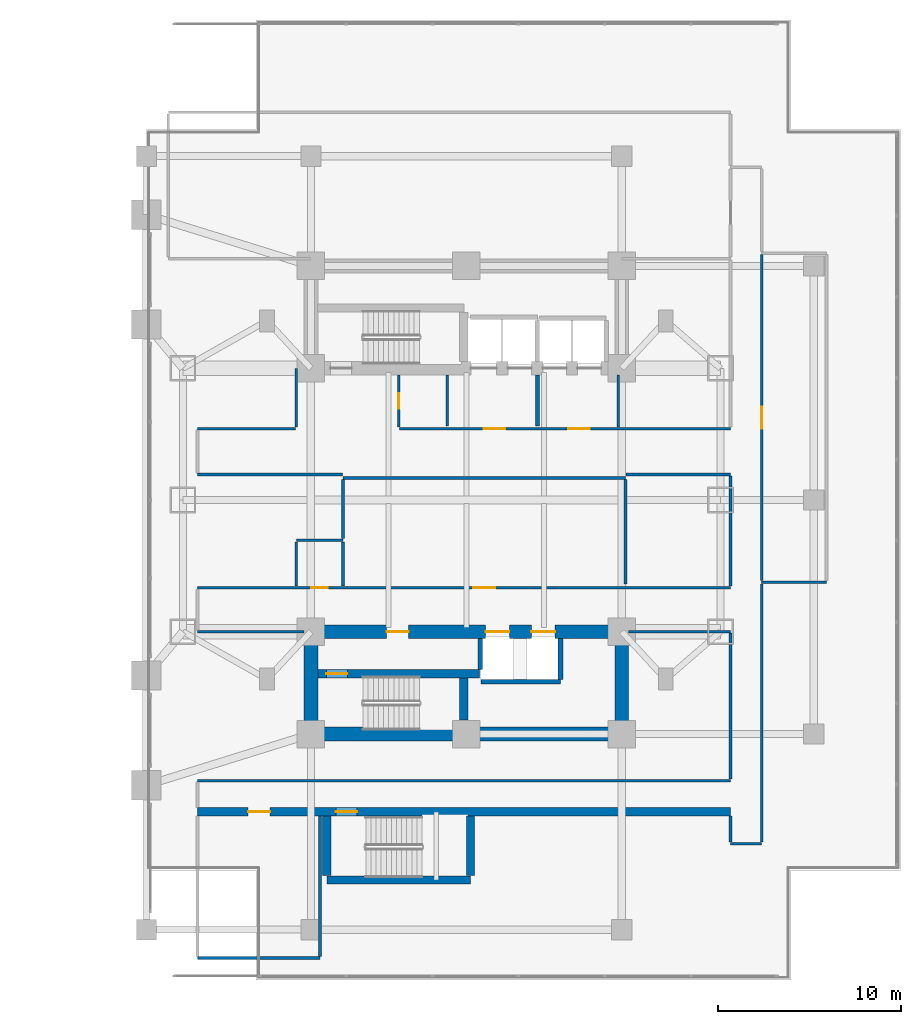
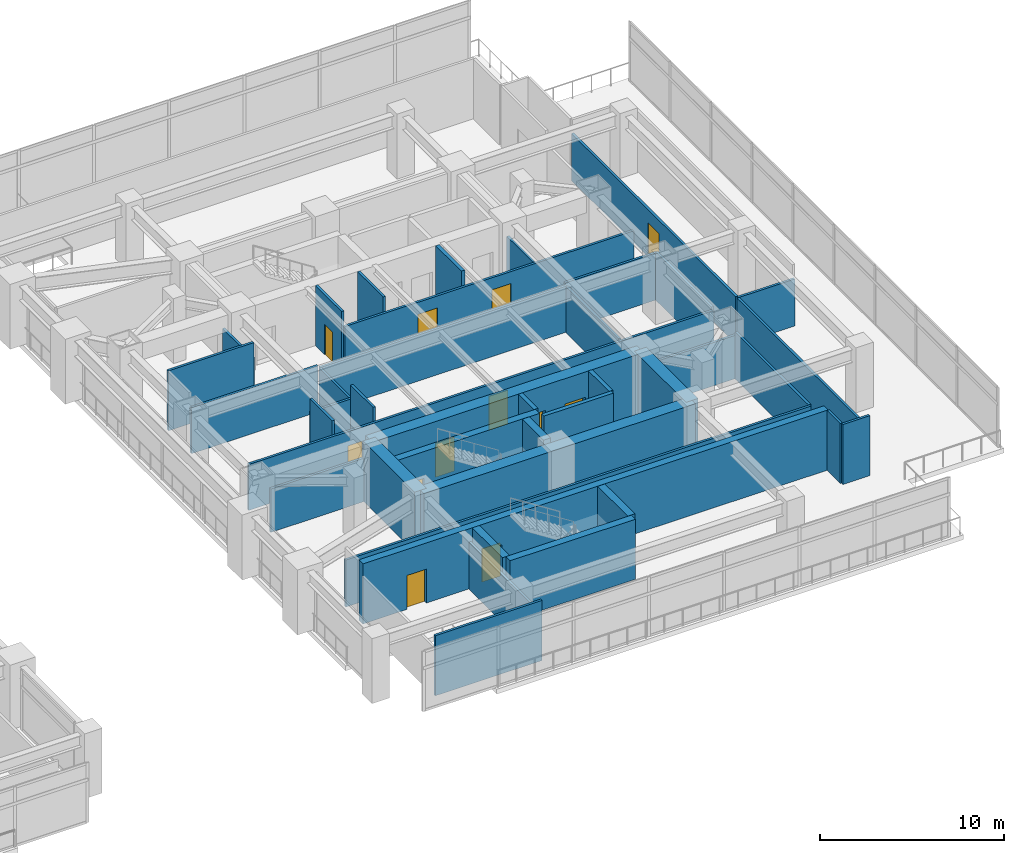
# One storey, part 18 of 31: 41 walls, 12 doors, 12 openings.
"""IFC4 building model written with IfcOpenShell, lengths in metres."""

from ifc_helpers import new_model, si_unit, direction, frame, frame_2d, origin, place, context, subcontext, project, spatial, rectangle, extrude, material, layer, layer_set, type_object, element, fill, save


model = new_model("IFC4")

# Units and contexts
model_context = context("Model", 3, precision=1e-05, world=origin(), true_north=direction((0.0, 1.0)))
body_context = subcontext(model_context, "Body", "Model", "MODEL_VIEW")
ifc_project = project(units=[si_unit("LENGTHUNIT", "METRE"), si_unit("AREAUNIT", "SQUARE_METRE"), si_unit("VOLUMEUNIT", "CUBIC_METRE"), si_unit("PLANEANGLEUNIT", "RADIAN"), si_unit("MASSUNIT", "GRAM", prefix="KILO")], contexts=[model_context])

# Site, building, storey
site_placement = place(None, origin())
site = spatial("IfcSite", under=ifc_project, at=site_placement, CompositionType="ELEMENT")
building_placement = place(site_placement, origin())
building = spatial("IfcBuilding", under=site, at=building_placement, Name="Mirazonda Arch Towers", CompositionType="ELEMENT")
storey_placement = place(building_placement, frame((0.0, 0.0, 5.199951171875)))
storey = spatial("IfcBuildingStorey", under=building, at=storey_placement, Name="L01", CompositionType="ELEMENT", Elevation=5.199951171875)

# Wall
ifc_material_1 = material(Name="Concrete C50/60", Category="concrete")
ifc_layer_1 = layer(ifc_material_1, 0.449951171875, Name="WALL-CORE-450")
ifc_layer_set_1 = layer_set([ifc_layer_1], Name="Concrete C50/60")
wall_type_1 = type_object("IfcWallType", Name="WALL-CORE-450", PredefinedType="SHEAR", material=ifc_layer_set_1)
wall_1_placement = place(storey_placement, frame((68.8701171875, 7.219970703125, 0.0), z_axis=(0.0, 0.0, 1.0), x_axis=(1.0, 0.0, 0.0)))
element("IfcWall", 1, at=wall_1_placement, inside=storey, type_object=wall_type_1, Name="L01 Stair Core Shear Wall 004", PredefinedType="SHEAR", context=body_context, shape_type="SweptSolid", body=[
    extrude(rectangle(XDim=7.85986328125, YDim=0.449951171875, at=frame_2d((3.929931640625, 0.0))), origin(), (0.0, 0.0, 1.0), 3.97998046875),
])

# Wall, openings, doors
wall_2_placement = place(storey_placement, frame((61.800048828125, 10.949951171875, 0.0), z_axis=(0.0, 0.0, 1.0), x_axis=(1.0, 0.0, 0.0)))
wall_2 = element("IfcWall", 2, at=wall_2_placement, inside=storey, type_object=wall_type_1, Name="L01 Stair Core Shear Wall 008", PredefinedType="SHEAR", context=body_context, shape_type="SweptSolid", body=[
    extrude(rectangle(XDim=29.14990234375, YDim=0.449951171875, at=frame_2d((14.574951171875, 0.0))), origin(), (0.0, 0.0, 1.0), 3.97998046875),
])
opening_1_placement = place(wall_2_placement, frame((7.570068359375, 0.0, 0.0)))
opening_1 = element("IfcOpeningElement", 3, at=opening_1_placement, cuts=wall_2, Name="Opening DR-135", PredefinedType="OPENING", context=body_context, shape_type="SweptSolid", body=[
    extrude(rectangle(XDim=1.14990234375, YDim=2.199951171875, at=frame_2d((0.574951171875, 1.10009765625))), frame((0.0, 0.23486328125, 0.0), z_axis=(0.0, -1.0, 0.0), x_axis=(1.0, 0.0, 0.0)), (0.0, 0.0, 1.0), 0.469970703125),
])
opening_2_placement = place(wall_2_placement, frame((2.77001953125, 0.0, 0.0)))
opening_2 = element("IfcOpeningElement", 4, at=opening_2_placement, cuts=wall_2, Name="Opening DR-117", PredefinedType="OPENING", context=body_context, shape_type="SweptSolid", body=[
    extrude(rectangle(XDim=1.199951171875, YDim=2.25, at=frame_2d((0.60009765625, 1.125))), frame((0.0, 0.23486328125, 0.0), z_axis=(0.0, -1.0, 0.0), x_axis=(1.0, 0.0, 0.0)), (0.0, 0.0, 1.0), 0.469970703125),
])
ifc_material_2 = material(Name="Architectural Brushed Steel S355", Category="steel")
door_type_1 = type_object("IfcDoorType", Name="DOOR-FFL-FD90-1200", OperationType="NOTDEFINED", PredefinedType="DOOR", material=ifc_material_2)
door_1_placement = place(opening_2_placement, origin())
door_1 = element("IfcDoor", 5, at=door_1_placement, inside=storey, type_object=door_type_1, Name="L01 L01 South Dining Terrace Room Door", OperationType="SINGLE_SWING_RIGHT", OverallHeight=2.25, OverallWidth=1.199951171875, PredefinedType="DOOR", context=body_context, shape_type="SweptSolid", body=[
    extrude(rectangle(XDim=1.199951171875, YDim=2.25, at=frame_2d((0.60009765625, 1.125))), frame((0.0, 0.02490234375, 0.0), z_axis=(0.0, -1.0, 0.0), x_axis=(1.0, 0.0, 0.0)), (0.0, 0.0, 1.0), 0.050048828125),
])
fill(opening_2, door_1)
door_type_2 = type_object("IfcDoorType", Name="DOOR-STAIR-FD90-1150", OperationType="NOTDEFINED", PredefinedType="DOOR", material=ifc_material_2)
door_2_placement = place(opening_1_placement, origin())
door_2 = element("IfcDoor", 6, at=door_2_placement, inside=storey, type_object=door_type_2, Name="L01 Protected Podium Stair East Door", OperationType="SINGLE_SWING_LEFT", OverallHeight=2.199951171875, OverallWidth=1.14990234375, PredefinedType="DOOR", context=body_context, shape_type="SweptSolid", body=[
    extrude(rectangle(XDim=1.14990234375, YDim=2.199951171875, at=frame_2d((0.574951171875, 1.10009765625))), frame((0.0, 0.02490234375, 0.0), z_axis=(0.0, -1.0, 0.0), x_axis=(1.0, 0.0, 0.0)), (0.0, 0.0, 1.0), 0.050048828125),
])
fill(opening_1, door_2)

# Wall, opening, door
wall_3_placement = place(storey_placement, frame((68.3701171875, 18.5, 0.0), z_axis=(0.0, 0.0, 1.0), x_axis=(1.0, 0.0, 0.0)))
wall_3 = element("IfcWall", 7, at=wall_3_placement, inside=storey, type_object=wall_type_1, Name="L01 Stair Core Shear Wall 019", PredefinedType="SHEAR", context=body_context, shape_type="SweptSolid", body=[
    extrude(rectangle(XDim=8.849853515625, YDim=0.449951171875, at=frame_2d((4.4248046875, 0.0))), origin(), (0.0, 0.0, 1.0), 3.97998046875),
])
opening_3_placement = place(wall_3_placement, frame((0.469970703125, 0.0, 0.0)))
opening_3 = element("IfcOpeningElement", 8, at=opening_3_placement, cuts=wall_3, Name="Opening DR-135", PredefinedType="OPENING", context=body_context, shape_type="SweptSolid", body=[
    extrude(rectangle(XDim=1.14990234375, YDim=2.199951171875, at=frame_2d((0.574951171875, 1.10009765625))), frame((0.0, 0.23486328125, 0.0), z_axis=(0.0, -1.0, 0.0), x_axis=(1.0, 0.0, 0.0)), (0.0, 0.0, 1.0), 0.469970703125),
])
door_3_placement = place(opening_3_placement, origin())
door_3 = element("IfcDoor", 9, at=door_3_placement, inside=storey, type_object=door_type_2, Name="L01 East Protected Stair South Door", OperationType="SINGLE_SWING_RIGHT", OverallHeight=2.199951171875, OverallWidth=1.14990234375, PredefinedType="DOOR", context=body_context, shape_type="SweptSolid", body=[
    extrude(rectangle(XDim=1.14990234375, YDim=2.199951171875, at=frame_2d((0.574951171875, 1.10009765625))), frame((0.0, 0.02490234375, 0.0), z_axis=(0.0, -1.0, 0.0), x_axis=(1.0, 0.0, 0.0)), (0.0, 0.0, 1.0), 0.050048828125),
])
fill(opening_3, door_3)

# Walls
wall_4_placement = place(storey_placement, frame((68.8701171875, 7.455078125, 0.0), z_axis=(0.0, 0.0, 1.0), x_axis=(0.0, 1.0, 0.0)))
element("IfcWall", 10, at=wall_4_placement, inside=storey, type_object=wall_type_1, Name="L01 Stair Core Shear Wall 089", PredefinedType="SHEAR", context=body_context, shape_type="SweptSolid", body=[
    extrude(rectangle(XDim=3.260009765625, YDim=0.449951171875, at=frame_2d((1.6298828125, 0.0))), origin(), (0.0, 0.0, 1.0), 3.97998046875),
])
wall_5_placement = place(storey_placement, frame((76.360107421875, 15.965087890625, 0.0), z_axis=(0.0, 0.0, 1.0), x_axis=(0.0, 1.0, 0.0)))
element("IfcWall", 11, at=wall_5_placement, inside=storey, type_object=wall_type_1, Name="L01 Stair Core Shear Wall 094", PredefinedType="SHEAR", context=body_context, shape_type="SweptSolid", body=[
    extrude(rectangle(XDim=2.2998046875, YDim=0.449951171875, at=frame_2d((1.14990234375, 0.0))), origin(), (0.0, 0.0, 1.0), 3.97998046875),
])
wall_6_placement = place(storey_placement, frame((76.72998046875, 7.455078125, 0.0), z_axis=(0.0, 0.0, 1.0), x_axis=(0.0, 1.0, 0.0)))
element("IfcWall", 12, at=wall_6_placement, inside=storey, type_object=wall_type_1, Name="L01 Stair Core Shear Wall 096", PredefinedType="SHEAR", context=body_context, shape_type="SweptSolid", body=[
    extrude(rectangle(XDim=3.260009765625, YDim=0.449951171875, at=frame_2d((1.6298828125, 0.0))), origin(), (0.0, 0.0, 1.0), 3.97998046875),
])
ifc_material_3 = material(Name="Concrete C60/75", Category="concrete")
ifc_layer_2 = layer(ifc_material_3, 0.75, Name="WALL-CORE-750")
ifc_layer_set_2 = layer_set([ifc_layer_2], Name="Concrete C60/75")
wall_type_2 = type_object("IfcWallType", Name="WALL-CORE-750", PredefinedType="SHEAR", material=ifc_layer_set_2)
wall_7_placement = place(storey_placement, frame((68.0, 15.199951171875, 0.0), z_axis=(0.0, 0.0, 1.0), x_axis=(1.0, 0.0, 0.0)))
element("IfcWall", 13, at=wall_7_placement, inside=storey, type_object=wall_type_2, Name="L01 T2S-S Core Shear Wall", PredefinedType="SHEAR", context=body_context, shape_type="SweptSolid", body=[
    extrude(rectangle(XDim=17.0, YDim=0.75, at=frame_2d((8.5, 0.0))), origin(), (0.0, 0.0, 1.0), 3.97998046875),
])
for number, where, z_axis, x_axis, name in (
    (14, (68.0, 15.199951171875, 0.0), (0.0, 0.0, 1.0), (0.0, 1.0, 0.0), "L01 T2S-W Core Shear Wall"),
    (15, (85.0, 15.199951171875, 0.0), (0.0, 0.0, 1.0), (0.0, 1.0, 0.0), "L01 T2S-E Core Shear Wall"),
):
    element("IfcWall", number, at=place(storey_placement, frame(where, z_axis=z_axis, x_axis=x_axis)), inside=storey, type_object=wall_type_2, Name=name, PredefinedType="SHEAR", context=body_context, shape_type="SweptSolid", body=[
        extrude(rectangle(XDim=5.60009765625, YDim=0.75, at=frame_2d((2.800048828125, 0.0))), origin(), (0.0, 0.0, 1.0), 3.97998046875),
    ])

# Wall, openings, doors
wall_8_placement = place(storey_placement, frame((68.0, 20.800048828125, 0.0), z_axis=(0.0, 0.0, 1.0), x_axis=(1.0, 0.0, 0.0)))
wall_8 = element("IfcWall", 16, at=wall_8_placement, inside=storey, type_object=wall_type_2, Name="L01 T2S-N Core Shear Wall", PredefinedType="SHEAR", context=body_context, shape_type="SweptSolid", body=[
    extrude(rectangle(XDim=17.0, YDim=0.75, at=frame_2d((8.5, 0.0))), origin(), (0.0, 0.0, 1.0), 3.97998046875),
])
opening_4_placement = place(wall_8_placement, frame((4.14501953125, 0.0, 0.0)))
opening_4 = element("IfcOpeningElement", 17, at=opening_4_placement, cuts=wall_8, Name="Opening DR-117", PredefinedType="OPENING", context=body_context, shape_type="SweptSolid", body=[
    extrude(rectangle(XDim=1.199951171875, YDim=2.25, at=frame_2d((0.60009765625, 1.125))), frame((0.0, 0.385009765625, 0.0), z_axis=(0.0, -1.0, 0.0), x_axis=(1.0, 0.0, 0.0)), (0.0, 0.0, 1.0), 0.77001953125),
])
opening_5_placement = place(wall_8_placement, frame((9.550048828125, 0.0, 0.0)))
opening_5 = element("IfcOpeningElement", 18, at=opening_5_placement, cuts=wall_8, Name="Opening LD-111", PredefinedType="OPENING", context=body_context, shape_type="SweptSolid", body=[
    extrude(rectangle(XDim=1.300048828125, YDim=2.300048828125, at=frame_2d((0.64990234375, 1.14990234375))), frame((0.0, 0.385009765625, 0.0), z_axis=(0.0, -1.0, 0.0), x_axis=(1.0, 0.0, 0.0)), (0.0, 0.0, 1.0), 0.77001953125),
])
opening_6_placement = place(wall_8_placement, frame((12.050048828125, 0.0, 0.0)))
opening_6 = element("IfcOpeningElement", 19, at=opening_6_placement, cuts=wall_8, Name="Opening LD-111", PredefinedType="OPENING", context=body_context, shape_type="SweptSolid", body=[
    extrude(rectangle(XDim=1.300048828125, YDim=2.300048828125, at=frame_2d((0.64990234375, 1.14990234375))), frame((0.0, 0.385009765625, 0.0), z_axis=(0.0, -1.0, 0.0), x_axis=(1.0, 0.0, 0.0)), (0.0, 0.0, 1.0), 0.77001953125),
])
door_4_placement = place(opening_4_placement, origin())
door_4 = element("IfcDoor", 20, at=door_4_placement, inside=storey, type_object=door_type_1, Name="L01 East South Stair & Lift Lobby Door", OperationType="SINGLE_SWING_LEFT", OverallHeight=2.25, OverallWidth=1.199951171875, PredefinedType="DOOR", context=body_context, shape_type="SweptSolid", body=[
    extrude(rectangle(XDim=1.199951171875, YDim=2.25, at=frame_2d((0.60009765625, 1.125))), frame((0.0, 0.02490234375, 0.0), z_axis=(0.0, -1.0, 0.0), x_axis=(1.0, 0.0, 0.0)), (0.0, 0.0, 1.0), 0.050048828125),
])
fill(opening_4, door_4)
door_type_3 = type_object("IfcDoorType", Name="DOOR-LIFT-LAND-1300", OperationType="NOTDEFINED", PredefinedType="DOOR", material=ifc_material_2)
door_5_placement = place(opening_5_placement, origin())
door_5 = element("IfcDoor", 21, at=door_5_placement, inside=storey, type_object=door_type_3, Name="L01 Lift Landing Sliding Door PL-T2H1", OperationType="DOUBLE_DOOR_SLIDING", OverallHeight=2.300048828125, OverallWidth=1.300048828125, PredefinedType="DOOR", context=body_context, shape_type="SweptSolid", body=[
    extrude(rectangle(XDim=1.300048828125, YDim=2.300048828125, at=frame_2d((0.64990234375, 1.14990234375))), frame((0.0, 0.02490234375, 0.0), z_axis=(0.0, -1.0, 0.0), x_axis=(1.0, 0.0, 0.0)), (0.0, 0.0, 1.0), 0.050048828125),
])
fill(opening_5, door_5)
door_6_placement = place(opening_6_placement, origin())
door_6 = element("IfcDoor", 22, at=door_6_placement, inside=storey, type_object=door_type_3, Name="L01 Lift Landing Sliding Door PL-T2H2", OperationType="DOUBLE_DOOR_SLIDING", OverallHeight=2.300048828125, OverallWidth=1.300048828125, PredefinedType="DOOR", context=body_context, shape_type="SweptSolid", body=[
    extrude(rectangle(XDim=1.300048828125, YDim=2.300048828125, at=frame_2d((0.64990234375, 1.14990234375))), frame((0.0, 0.02490234375, 0.0), z_axis=(0.0, -1.0, 0.0), x_axis=(1.0, 0.0, 0.0)), (0.0, 0.0, 1.0), 0.050048828125),
])
fill(opening_6, door_6)

# Walls
ifc_material_4 = material(Name="Concrete C40/50", Category="concrete")
ifc_layer_3 = layer(ifc_material_4, 0.219970703125, Name="WALL-FFL-220")
ifc_layer_set_3 = layer_set([ifc_layer_3], Name="Concrete C40/50")
wall_type_3 = type_object("IfcWallType", Name="WALL-FFL-220", PredefinedType="SOLIDWALL", material=ifc_layer_set_3)
wall_9_placement = place(storey_placement, frame((80.3798828125, 32.050048828125, 0.0), z_axis=(0.0, 0.0, 1.0), x_axis=(0.0, 1.0, 0.0)))
element("IfcWall", 23, at=wall_9_placement, inside=storey, type_object=wall_type_3, Name="L01 Interior Partition 098", PredefinedType="SOLIDWALL", context=body_context, shape_type="SweptSolid", body=[
    extrude(rectangle(XDim=2.780029296875, YDim=0.219970703125, at=frame_2d((1.39013671875, 0.0))), origin(), (0.0, 0.0, 1.0), 3.97998046875),
])
ifc_material_5 = material(Name="Fire-Rated Gypsum Stud Partition")
ifc_layer_4 = layer(ifc_material_5, 0.14990234375, Name="WALL-PART-CORR-150")
ifc_layer_set_4 = layer_set([ifc_layer_4], Name="Fire-Rated Gypsum Stud Partition")
wall_type_4 = type_object("IfcWallType", Name="WALL-PART-CORR-150", PredefinedType="PARTITIONING", material=ifc_layer_set_4)
wall_10_placement = place(storey_placement, frame((61.800048828125, 2.949951171875, 0.0), z_axis=(0.0, 0.0, 1.0), x_axis=(1.0, 0.0, 0.0)))
element("IfcWall", 24, at=wall_10_placement, inside=storey, type_object=wall_type_4, Name="L01 Interior Partition 002", PredefinedType="PARTITIONING", context=body_context, shape_type="SweptSolid", body=[
    extrude(rectangle(XDim=6.699951171875, YDim=0.14990234375, at=frame_2d((3.35009765625, 0.0))), origin(), (0.0, 0.0, 1.0), 3.97998046875),
])
wall_11_placement = place(storey_placement, frame((90.949951171875, 9.199951171875, 0.0), z_axis=(0.0, 0.0, 1.0), x_axis=(1.0, 0.0, 0.0)))
element("IfcWall", 25, at=wall_11_placement, inside=storey, type_object=wall_type_4, Name="L01 Interior Partition 006", PredefinedType="PARTITIONING", context=body_context, shape_type="SweptSolid", body=[
    extrude(rectangle(XDim=1.699951171875, YDim=0.14990234375, at=frame_2d((0.85009765625, 0.0))), origin(), (0.0, 0.0, 1.0), 3.97998046875),
])
wall_12_placement = place(storey_placement, frame((61.800048828125, 12.64990234375, 0.0), z_axis=(0.0, 0.0, 1.0), x_axis=(1.0, 0.0, 0.0)))
element("IfcWall", 26, at=wall_12_placement, inside=storey, type_object=wall_type_4, Name="L01 Interior Partition 011", PredefinedType="PARTITIONING", context=body_context, shape_type="SweptSolid", body=[
    extrude(rectangle(XDim=29.14990234375, YDim=0.14990234375, at=frame_2d((14.574951171875, 0.0))), origin(), (0.0, 0.0, 1.0), 3.115966796875),
])
wall_13_placement = place(storey_placement, frame((61.800048828125, 20.800048828125, 0.0), z_axis=(0.0, 0.0, 1.0), x_axis=(1.0, 0.0, 0.0)))
element("IfcWall", 27, at=wall_13_placement, inside=storey, type_object=wall_type_4, Name="L01 Interior Partition 021", PredefinedType="PARTITIONING", context=body_context, shape_type="SweptSolid", body=[
    extrude(rectangle(XDim=5.829833984375, YDim=0.14990234375, at=frame_2d((2.9150390625, 0.0))), origin(), (0.0, 0.0, 1.0), 2.8720703125),
])
wall_14_placement = place(storey_placement, frame((85.3701171875, 20.800048828125, 0.0), z_axis=(0.0, 0.0, 1.0), x_axis=(1.0, 0.0, 0.0)))
element("IfcWall", 28, at=wall_14_placement, inside=storey, type_object=wall_type_4, Name="L01 Interior Partition 022", PredefinedType="PARTITIONING", context=body_context, shape_type="SweptSolid", body=[
    extrude(rectangle(XDim=5.579833984375, YDim=0.14990234375, at=frame_2d((2.7900390625, 0.0))), origin(), (0.0, 0.0, 1.0), 2.8720703125),
])

# Wall, openings, doors
wall_15_placement = place(storey_placement, frame((61.800048828125, 23.199951171875, 0.0), z_axis=(0.0, 0.0, 1.0), x_axis=(1.0, 0.0, 0.0)))
wall_15 = element("IfcWall", 29, at=wall_15_placement, inside=storey, type_object=wall_type_4, Name="L01 Interior Partition 023", PredefinedType="PARTITIONING", context=body_context, shape_type="SweptSolid", body=[
    extrude(rectangle(XDim=29.14990234375, YDim=0.14990234375, at=frame_2d((14.574951171875, 0.0))), origin(), (0.0, 0.0, 1.0), 3.045166015625),
])
opening_7_placement = place(wall_15_placement, frame((6.22509765625, 0.0, 0.0)))
opening_7 = element("IfcOpeningElement", 30, at=opening_7_placement, cuts=wall_15, Name="Opening DR-120", PredefinedType="OPENING", context=body_context, shape_type="SweptSolid", body=[
    extrude(rectangle(XDim=0.89990234375, YDim=2.10009765625, at=frame_2d((0.449951171875, 1.050048828125))), frame((0.0, 0.0849609375, 0.0), z_axis=(0.0, -1.0, 0.0), x_axis=(1.0, 0.0, 0.0)), (0.0, 0.0, 1.0), 0.169921875),
])
opening_8_placement = place(wall_15_placement, frame((15.074951171875, 0.0, 0.0)))
opening_8 = element("IfcOpeningElement", 31, at=opening_8_placement, cuts=wall_15, Name="Opening DR-117", PredefinedType="OPENING", context=body_context, shape_type="SweptSolid", body=[
    extrude(rectangle(XDim=1.199951171875, YDim=2.25, at=frame_2d((0.60009765625, 1.125))), frame((0.0, 0.0849609375, 0.0), z_axis=(0.0, -1.0, 0.0), x_axis=(1.0, 0.0, 0.0)), (0.0, 0.0, 1.0), 0.169921875),
])
door_7_placement = place(opening_8_placement, origin())
door_7 = element("IfcDoor", 32, at=door_7_placement, inside=storey, type_object=door_type_1, Name="L01 L01 East Retail Arcade Pavilion Door", OperationType="SINGLE_SWING_LEFT", OverallHeight=2.25, OverallWidth=1.199951171875, PredefinedType="DOOR", context=body_context, shape_type="SweptSolid", body=[
    extrude(rectangle(XDim=1.199951171875, YDim=2.25, at=frame_2d((0.60009765625, 1.125))), frame((0.0, 0.02490234375, 0.0), z_axis=(0.0, -1.0, 0.0), x_axis=(1.0, 0.0, 0.0)), (0.0, 0.0, 1.0), 0.050048828125),
])
fill(opening_8, door_7)
door_type_4 = type_object("IfcDoorType", Name="DOOR-WC-900", OperationType="NOTDEFINED", PredefinedType="DOOR", material=ifc_material_2)
door_8_placement = place(opening_7_placement, origin())
door_8 = element("IfcDoor", 33, at=door_8_placement, inside=storey, type_object=door_type_4, Name="L01 Tower 2 Podium Accessible WC Door", OperationType="SINGLE_SWING_LEFT", OverallHeight=2.10009765625, OverallWidth=0.89990234375, PredefinedType="DOOR", context=body_context, shape_type="SweptSolid", body=[
    extrude(rectangle(XDim=0.89990234375, YDim=2.10009765625, at=frame_2d((0.449951171875, 1.050048828125))), frame((0.0, 0.02490234375, 0.0), z_axis=(0.0, -1.0, 0.0), x_axis=(1.0, 0.0, 0.0)), (0.0, 0.0, 1.0), 0.050048828125),
])
fill(opening_7, door_8)

# Walls
wall_16_placement = place(storey_placement, frame((92.64990234375, 23.5, 0.0), z_axis=(0.0, 0.0, 1.0), x_axis=(1.0, 0.0, 0.0)))
element("IfcWall", 34, at=wall_16_placement, inside=storey, type_object=wall_type_4, Name="L01 Interior Partition 025", PredefinedType="PARTITIONING", context=body_context, shape_type="SweptSolid", body=[
    extrude(rectangle(XDim=3.550048828125, YDim=0.14990234375, at=frame_2d((1.77490234375, 0.0))), origin(), (0.0, 0.0, 1.0), 3.115966796875),
])
wall_17_placement = place(storey_placement, frame((67.199951171875, 25.800048828125, 0.0), z_axis=(0.0, 0.0, 1.0), x_axis=(1.0, 0.0, 0.0)))
element("IfcWall", 35, at=wall_17_placement, inside=storey, type_object=wall_type_4, Name="L01 Interior Partition 026", PredefinedType="PARTITIONING", context=body_context, shape_type="SweptSolid", body=[
    extrude(rectangle(XDim=2.550048828125, YDim=0.14990234375, at=frame_2d((1.27490234375, 0.0))), origin(), (0.0, 0.0, 1.0), 3.045166015625),
])
wall_18_placement = place(storey_placement, frame((69.75, 29.199951171875, 0.0), z_axis=(0.0, 0.0, 1.0), x_axis=(1.0, 0.0, 0.0)))
element("IfcWall", 36, at=wall_18_placement, inside=storey, type_object=wall_type_4, Name="L01 Interior Partition 027", PredefinedType="PARTITIONING", context=body_context, shape_type="SweptSolid", body=[
    extrude(rectangle(XDim=15.449951171875, YDim=0.14990234375, at=frame_2d((7.72509765625, 0.0))), origin(), (0.0, 0.0, 1.0), 3.045166015625),
])
wall_19_placement = place(storey_placement, frame((61.800048828125, 29.39990234375, 0.0), z_axis=(0.0, 0.0, 1.0), x_axis=(1.0, 0.0, 0.0)))
element("IfcWall", 37, at=wall_19_placement, inside=storey, type_object=wall_type_4, Name="L01 Interior Partition 028", PredefinedType="PARTITIONING", context=body_context, shape_type="SweptSolid", body=[
    extrude(rectangle(XDim=7.929931640625, YDim=0.14990234375, at=frame_2d((3.96484375, 0.0))), origin(), (0.0, 0.0, 1.0), 3.045166015625),
])
wall_20_placement = place(storey_placement, frame((85.219970703125, 29.39990234375, 0.0), z_axis=(0.0, 0.0, 1.0), x_axis=(1.0, 0.0, 0.0)))
element("IfcWall", 38, at=wall_20_placement, inside=storey, type_object=wall_type_4, Name="L01 Interior Partition 029", PredefinedType="PARTITIONING", context=body_context, shape_type="SweptSolid", body=[
    extrude(rectangle(XDim=5.72998046875, YDim=0.14990234375, at=frame_2d((2.864990234375, 0.0))), origin(), (0.0, 0.0, 1.0), 3.115966796875),
])
wall_21_placement = place(storey_placement, frame((61.800048828125, 31.89990234375, 0.0), z_axis=(0.0, 0.0, 1.0), x_axis=(1.0, 0.0, 0.0)))
element("IfcWall", 39, at=wall_21_placement, inside=storey, type_object=wall_type_4, Name="L01 Interior Partition 033", PredefinedType="PARTITIONING", context=body_context, shape_type="SweptSolid", body=[
    extrude(rectangle(XDim=5.349853515625, YDim=0.14990234375, at=frame_2d((2.6748046875, 0.0))), origin(), (0.0, 0.0, 1.0), 3.97998046875),
])

# Wall, openings, doors
wall_22_placement = place(storey_placement, frame((72.85009765625, 31.89990234375, 0.0), z_axis=(0.0, 0.0, 1.0), x_axis=(1.0, 0.0, 0.0)))
wall_22 = element("IfcWall", 40, at=wall_22_placement, inside=storey, type_object=wall_type_4, Name="L01 Interior Partition 034", PredefinedType="PARTITIONING", context=body_context, shape_type="SweptSolid", body=[
    extrude(rectangle(XDim=18.099853515625, YDim=0.14990234375, at=frame_2d((9.0498046875, 0.0))), origin(), (0.0, 0.0, 1.0), 3.045166015625),
])
opening_9_placement = place(wall_22_placement, frame((9.2099609375, 0.0, 0.0)))
opening_9 = element("IfcOpeningElement", 41, at=opening_9_placement, cuts=wall_22, Name="Opening DR-117", PredefinedType="OPENING", context=body_context, shape_type="SweptSolid", body=[
    extrude(rectangle(XDim=1.199951171875, YDim=2.25, at=frame_2d((0.60009765625, 1.125))), frame((0.0, 0.0849609375, 0.0), z_axis=(0.0, -1.0, 0.0), x_axis=(1.0, 0.0, 0.0)), (0.0, 0.0, 1.0), 0.169921875),
])
opening_10_placement = place(wall_22_placement, frame((4.590087890625, 0.0, 0.0)))
opening_10 = element("IfcOpeningElement", 42, at=opening_10_placement, cuts=wall_22, Name="Opening DR-117", PredefinedType="OPENING", context=body_context, shape_type="SweptSolid", body=[
    extrude(rectangle(XDim=1.199951171875, YDim=2.25, at=frame_2d((0.60009765625, 1.125))), frame((0.0, 0.0849609375, 0.0), z_axis=(0.0, -1.0, 0.0), x_axis=(1.0, 0.0, 0.0)), (0.0, 0.0, 1.0), 0.169921875),
])
door_9_placement = place(opening_9_placement, origin())
door_9 = element("IfcDoor", 43, at=door_9_placement, inside=storey, type_object=door_type_1, Name="L01 East Passenger Lift Lobby Door", OperationType="SINGLE_SWING_LEFT", OverallHeight=2.25, OverallWidth=1.199951171875, PredefinedType="DOOR", context=body_context, shape_type="SweptSolid", body=[
    extrude(rectangle(XDim=1.199951171875, YDim=2.25, at=frame_2d((0.60009765625, 1.125))), frame((0.0, 0.02490234375, 0.0), z_axis=(0.0, -1.0, 0.0), x_axis=(1.0, 0.0, 0.0)), (0.0, 0.0, 1.0), 0.050048828125),
])
fill(opening_9, door_9)
door_10_placement = place(opening_10_placement, origin())
door_10 = element("IfcDoor", 44, at=door_10_placement, inside=storey, type_object=door_type_1, Name="L01 East Firefighting Lift Lobby Door", OperationType="SINGLE_SWING_LEFT", OverallHeight=2.25, OverallWidth=1.199951171875, PredefinedType="DOOR", context=body_context, shape_type="SweptSolid", body=[
    extrude(rectangle(XDim=1.199951171875, YDim=2.25, at=frame_2d((0.60009765625, 1.125))), frame((0.0, 0.02490234375, 0.0), z_axis=(0.0, -1.0, 0.0), x_axis=(1.0, 0.0, 0.0)), (0.0, 0.0, 1.0), 0.050048828125),
])
fill(opening_10, door_10)

# Walls
wall_23_placement = place(storey_placement, frame((67.199951171875, 23.284912109375, 0.0), z_axis=(0.0, 0.0, 1.0), x_axis=(0.0, 1.0, 0.0)))
element("IfcWall", 45, at=wall_23_placement, inside=storey, type_object=wall_type_4, Name="L01 Interior Partition 086", PredefinedType="PARTITIONING", context=body_context, shape_type="SweptSolid", body=[
    extrude(rectangle(XDim=2.43017578125, YDim=0.14990234375, at=frame_2d((1.215087890625, 0.0))), origin(), (0.0, 0.0, 1.0), 3.97998046875),
])
wall_24_placement = place(storey_placement, frame((67.199951171875, 31.985107421875, 0.0), z_axis=(0.0, 0.0, 1.0), x_axis=(0.0, 1.0, 0.0)))
element("IfcWall", 46, at=wall_24_placement, inside=storey, type_object=wall_type_4, Name="L01 Interior Partition 087", PredefinedType="PARTITIONING", context=body_context, shape_type="SweptSolid", body=[
    extrude(rectangle(XDim=3.21484375, YDim=0.14990234375, at=frame_2d((1.607421875, 0.0))), origin(), (0.0, 0.0, 1.0), 2.8720703125),
])
wall_25_placement = place(storey_placement, frame((68.5, 3.034912109375, 0.0), z_axis=(0.0, 0.0, 1.0), x_axis=(0.0, 1.0, 0.0)))
element("IfcWall", 47, at=wall_25_placement, inside=storey, type_object=wall_type_4, Name="L01 Interior Partition 088", PredefinedType="PARTITIONING", context=body_context, shape_type="SweptSolid", body=[
    extrude(rectangle(XDim=7.68017578125, YDim=0.14990234375, at=frame_2d((3.840087890625, 0.0))), origin(), (0.0, 0.0, 1.0), 3.115966796875),
])
wall_26_placement = place(storey_placement, frame((69.75, 23.284912109375, 0.0), z_axis=(0.0, 0.0, 1.0), x_axis=(0.0, 1.0, 0.0)))
element("IfcWall", 48, at=wall_26_placement, inside=storey, type_object=wall_type_4, Name="L01 Interior Partition 090", PredefinedType="PARTITIONING", context=body_context, shape_type="SweptSolid", body=[
    extrude(rectangle(XDim=2.43017578125, YDim=0.14990234375, at=frame_2d((1.215087890625, 0.0))), origin(), (0.0, 0.0, 1.0), 3.97998046875),
])
wall_27_placement = place(storey_placement, frame((69.75, 25.885009765625, 0.0), z_axis=(0.0, 0.0, 1.0), x_axis=(0.0, 1.0, 0.0)))
element("IfcWall", 49, at=wall_27_placement, inside=storey, type_object=wall_type_4, Name="L01 Interior Partition 091", PredefinedType="PARTITIONING", context=body_context, shape_type="SweptSolid", body=[
    extrude(rectangle(XDim=3.22998046875, YDim=0.14990234375, at=frame_2d((1.614990234375, 0.0))), origin(), (0.0, 0.0, 1.0), 3.045166015625),
])

# Wall, opening, door
wall_28_placement = place(storey_placement, frame((72.81005859375, 31.985107421875, 0.0), z_axis=(0.0, 0.0, 1.0), x_axis=(0.0, 1.0, 0.0)))
wall_28 = element("IfcWall", 50, at=wall_28_placement, inside=storey, type_object=wall_type_4, Name="L01 Interior Partition 092", PredefinedType="PARTITIONING", context=body_context, shape_type="SweptSolid", body=[
    extrude(rectangle(XDim=2.844970703125, YDim=0.14990234375, at=frame_2d((1.42236328125, 0.0))), origin(), (0.0, 0.0, 1.0), 3.97998046875),
])
opening_11_placement = place(wall_28_placement, frame((1.010009765625, 0.0, 0.0)))
opening_11 = element("IfcOpeningElement", 51, at=opening_11_placement, cuts=wall_28, Name="Opening DR-128", PredefinedType="OPENING", context=body_context, shape_type="SweptSolid", body=[
    extrude(rectangle(XDim=0.85009765625, YDim=2.010009765625, at=frame_2d((0.425048828125, 1.0048828125))), frame((0.0, 0.0849609375, 0.0), z_axis=(0.0, -1.0, 0.0), x_axis=(1.0, 0.0, 0.0)), (0.0, 0.0, 1.0), 0.169921875),
])
door_type_5 = type_object("IfcDoorType", Name="DOOR-RISER-FD60-850", OperationType="NOTDEFINED", PredefinedType="DOOR", material=ifc_material_2)
door_11_placement = place(opening_11_placement, origin())
door_11 = element("IfcDoor", 52, at=door_11_placement, inside=storey, type_object=door_type_5, Name="L01 Tower 2 Core Service Room Door", OperationType="SINGLE_SWING_RIGHT", OverallHeight=2.010009765625, OverallWidth=0.85009765625, PredefinedType="DOOR", context=body_context, shape_type="SweptSolid", body=[
    extrude(rectangle(XDim=0.85009765625, YDim=2.010009765625, at=frame_2d((0.425048828125, 1.0048828125))), frame((0.0, 0.02490234375, 0.0), z_axis=(0.0, -1.0, 0.0), x_axis=(1.0, 0.0, 0.0)), (0.0, 0.0, 1.0), 0.050048828125),
])
fill(opening_11, door_11)

# Walls
wall_29_placement = place(storey_placement, frame((75.449951171875, 32.050048828125, 0.0), z_axis=(0.0, 0.0, 1.0), x_axis=(0.0, 1.0, 0.0)))
element("IfcWall", 53, at=wall_29_placement, inside=storey, type_object=wall_type_4, Name="L01 Interior Partition 093", PredefinedType="PARTITIONING", context=body_context, shape_type="SweptSolid", body=[
    extrude(rectangle(XDim=2.780029296875, YDim=0.14990234375, at=frame_2d((1.39013671875, 0.0))), origin(), (0.0, 0.0, 1.0), 3.97998046875),
])
wall_30_placement = place(storey_placement, frame((84.800048828125, 31.985107421875, 0.0), z_axis=(0.0, 0.0, 1.0), x_axis=(0.0, 1.0, 0.0)))
element("IfcWall", 54, at=wall_30_placement, inside=storey, type_object=wall_type_4, Name="L01 Interior Partition 102", PredefinedType="PARTITIONING", context=body_context, shape_type="SweptSolid", body=[
    extrude(rectangle(XDim=2.844970703125, YDim=0.14990234375, at=frame_2d((1.42236328125, 0.0))), origin(), (0.0, 0.0, 1.0), 3.045166015625),
])
wall_31_placement = place(storey_placement, frame((85.199951171875, 23.39990234375, 0.0), z_axis=(0.0, 0.0, 1.0), x_axis=(0.0, 1.0, 0.0)))
element("IfcWall", 55, at=wall_31_placement, inside=storey, type_object=wall_type_4, Name="L01 Interior Partition 103", PredefinedType="PARTITIONING", context=body_context, shape_type="SweptSolid", body=[
    extrude(rectangle(XDim=5.715087890625, YDim=0.14990234375, at=frame_2d((2.857421875, 0.0))), origin(), (0.0, 0.0, 1.0), 3.045166015625),
])
wall_32_placement = place(storey_placement, frame((90.949951171875, 9.284912109375, 0.0), z_axis=(0.0, 0.0, 1.0), x_axis=(0.0, 1.0, 0.0)))
element("IfcWall", 56, at=wall_32_placement, inside=storey, type_object=wall_type_4, Name="L01 Interior Partition 104", PredefinedType="PARTITIONING", context=body_context, shape_type="SweptSolid", body=[
    extrude(rectangle(XDim=1.43017578125, YDim=0.14990234375, at=frame_2d((0.715087890625, 0.0))), origin(), (0.0, 0.0, 1.0), 3.97998046875),
])
wall_33_placement = place(storey_placement, frame((90.949951171875, 12.735107421875, 0.0), z_axis=(0.0, 0.0, 1.0), x_axis=(0.0, 1.0, 0.0)))
element("IfcWall", 57, at=wall_33_placement, inside=storey, type_object=wall_type_4, Name="L01 Interior Partition 105", PredefinedType="PARTITIONING", context=body_context, shape_type="SweptSolid", body=[
    extrude(rectangle(XDim=7.97998046875, YDim=0.14990234375, at=frame_2d((3.989990234375, 0.0))), origin(), (0.0, 0.0, 1.0), 3.115966796875),
])
wall_34_placement = place(storey_placement, frame((90.949951171875, 23.284912109375, 0.0), z_axis=(0.0, 0.0, 1.0), x_axis=(0.0, 1.0, 0.0)))
element("IfcWall", 58, at=wall_34_placement, inside=storey, type_object=wall_type_4, Name="L01 Interior Partition 106", PredefinedType="PARTITIONING", context=body_context, shape_type="SweptSolid", body=[
    extrude(rectangle(XDim=6.030029296875, YDim=0.14990234375, at=frame_2d((3.01513671875, 0.0))), origin(), (0.0, 0.0, 1.0), 3.198974609375),
])
wall_35_placement = place(storey_placement, frame((92.64990234375, 9.284912109375, 0.0), z_axis=(0.0, 0.0, 1.0), x_axis=(0.0, 1.0, 0.0)))
element("IfcWall", 59, at=wall_35_placement, inside=storey, type_object=wall_type_4, Name="L01 Interior Partition 110", PredefinedType="PARTITIONING", context=body_context, shape_type="SweptSolid", body=[
    extrude(rectangle(XDim=14.130126953125, YDim=0.14990234375, at=frame_2d((7.06494140625, 0.0))), origin(), (0.0, 0.0, 1.0), 3.115966796875),
])

# Wall, opening, door
wall_36_placement = place(storey_placement, frame((92.64990234375, 23.5849609375, 0.0), z_axis=(0.0, 0.0, 1.0), x_axis=(0.0, 1.0, 0.0)))
wall_36 = element("IfcWall", 60, at=wall_36_placement, inside=storey, type_object=wall_type_4, Name="L01 Interior Partition 111", PredefinedType="PARTITIONING", context=body_context, shape_type="SweptSolid", body=[
    extrude(rectangle(XDim=17.830078125, YDim=0.14990234375, at=frame_2d((8.9150390625, 0.0))), origin(), (0.0, 0.0, 1.0), 3.115966796875),
])
opening_12_placement = place(wall_36_placement, frame((8.31494140625, 0.0, 0.0)))
opening_12 = element("IfcOpeningElement", 61, at=opening_12_placement, cuts=wall_36, Name="Opening DR-117", PredefinedType="OPENING", context=body_context, shape_type="SweptSolid", body=[
    extrude(rectangle(XDim=1.199951171875, YDim=2.25, at=frame_2d((0.60009765625, 1.125))), frame((0.0, 0.0849609375, 0.0), z_axis=(0.0, -1.0, 0.0), x_axis=(1.0, 0.0, 0.0)), (0.0, 0.0, 1.0), 0.169921875),
])
door_12_placement = place(opening_12_placement, origin())
door_12 = element("IfcDoor", 62, at=door_12_placement, inside=storey, type_object=door_type_1, Name="L01 L01 Banquet Finishing Kitchen Door", OperationType="SINGLE_SWING_LEFT", OverallHeight=2.25, OverallWidth=1.199951171875, PredefinedType="DOOR", context=body_context, shape_type="SweptSolid", body=[
    extrude(rectangle(XDim=1.199951171875, YDim=2.25, at=frame_2d((0.60009765625, 1.125))), frame((0.0, 0.02490234375, 0.0), z_axis=(0.0, -1.0, 0.0), x_axis=(1.0, 0.0, 0.0)), (0.0, 0.0, 1.0), 0.050048828125),
])
fill(opening_12, door_12)

# Walls
ifc_layer_5 = layer(ifc_material_4, 0.25, Name="WALL-SHAFT-250")
ifc_layer_set_5 = layer_set([ifc_layer_5], Name="Concrete C40/50")
wall_type_5 = type_object("IfcWallType", Name="WALL-SHAFT-250", PredefinedType="SOLIDWALL", material=ifc_layer_set_5)
wall_37_placement = place(storey_placement, frame((77.300048828125, 18.050048828125, 0.0), z_axis=(0.0, 0.0, 1.0), x_axis=(1.0, 0.0, 0.0)))
element("IfcWall", 63, at=wall_37_placement, inside=storey, type_object=wall_type_5, Name="L01 Interior Partition 016", PredefinedType="SOLIDWALL", context=body_context, shape_type="SweptSolid", body=[
    extrude(rectangle(XDim=4.349853515625, YDim=0.25, at=frame_2d((2.1748046875, 0.0))), origin(), (0.0, 0.0, 1.0), 3.97998046875),
])
wall_38_placement = place(storey_placement, frame((77.260009765625, 18.735107421875, 0.0), z_axis=(0.0, 0.0, 1.0), x_axis=(0.0, 1.0, 0.0)))
element("IfcWall", 64, at=wall_38_placement, inside=storey, type_object=wall_type_5, Name="L01 Interior Partition 097", PredefinedType="SOLIDWALL", context=body_context, shape_type="SweptSolid", body=[
    extrude(rectangle(XDim=1.69482421875, YDim=0.25, at=frame_2d((0.847412109375, 0.0))), origin(), (0.0, 0.0, 1.0), 3.97998046875),
])
wall_39_placement = place(storey_placement, frame((81.64990234375, 18.18505859375, 0.0), z_axis=(0.0, 0.0, 1.0), x_axis=(0.0, 1.0, 0.0)))
element("IfcWall", 65, at=wall_39_placement, inside=storey, type_object=wall_type_5, Name="L01 Interior Partition 100", PredefinedType="SOLIDWALL", context=body_context, shape_type="SweptSolid", body=[
    extrude(rectangle(XDim=2.244873046875, YDim=0.25, at=frame_2d((1.12255859375, 0.0))), origin(), (0.0, 0.0, 1.0), 3.97998046875),
])

save(model, "model.ifc")
